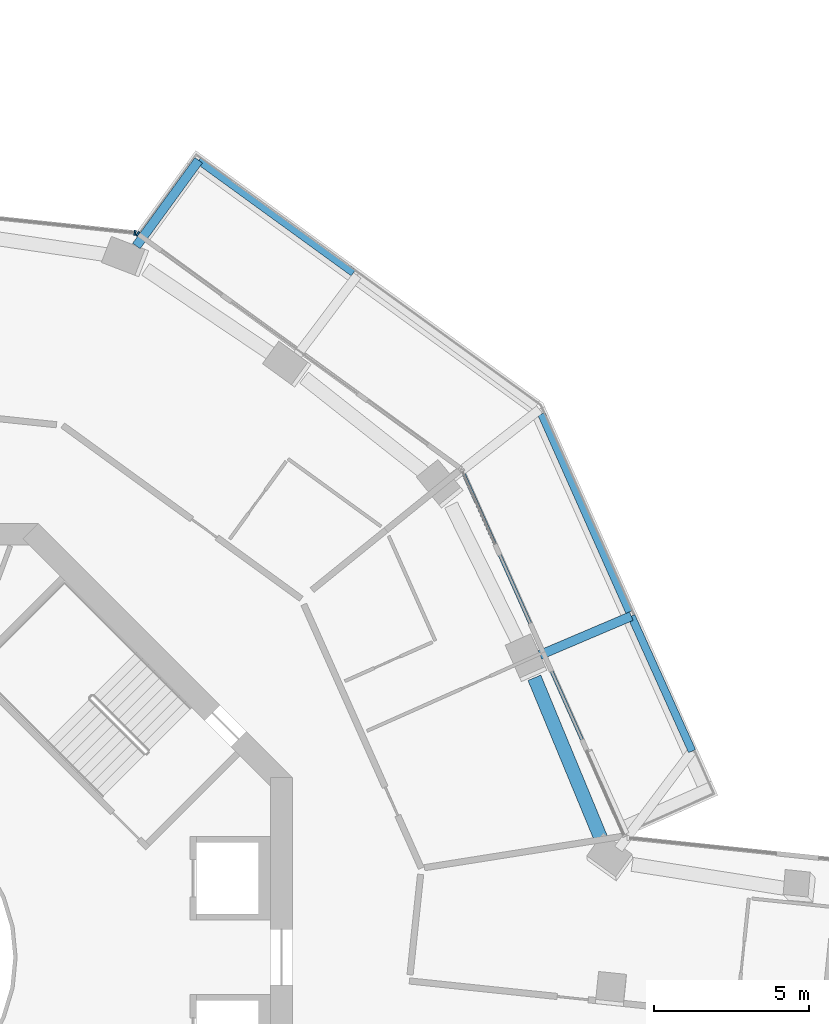
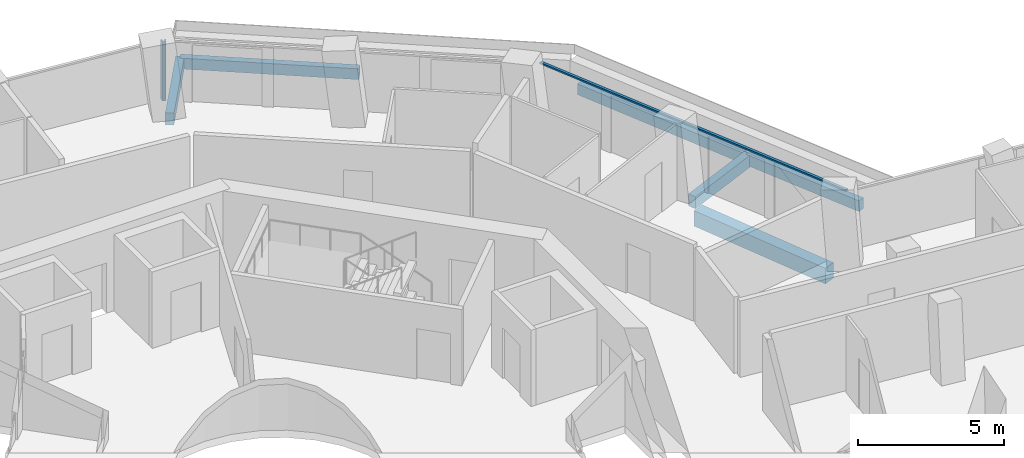
# One storey, part 9 of 23: 6 beams, 3 members, 3 elements without a shape of their own.
"""IFC4 building model written with IfcOpenShell, lengths in metres."""

from ifc_helpers import new_model, si_unit, direction, frame, origin, origin_2d, place, context, subcontext, project, spatial, rectangle, extrude, material, layer, layer_set, material_profile, profile_set, type_object, element, aggregate, save


model = new_model("IFC4")

# Units and contexts
model_context = context("Model", 3, precision=1e-05, world=origin(), true_north=direction((0.0, 1.0)))
body_context = subcontext(model_context, "Body", "Model", "MODEL_VIEW")
ifc_project = project(units=[si_unit("LENGTHUNIT", "METRE"), si_unit("AREAUNIT", "SQUARE_METRE"), si_unit("VOLUMEUNIT", "CUBIC_METRE"), si_unit("PLANEANGLEUNIT", "RADIAN"), si_unit("MASSUNIT", "GRAM", prefix="KILO")], contexts=[model_context])

# Site, building, storey
site_placement = place(None, origin())
site = spatial("IfcSite", under=ifc_project, at=site_placement, CompositionType="ELEMENT")
building_placement = place(site_placement, origin())
building = spatial("IfcBuilding", under=site, at=building_placement, Name="Verdalira Terraces Hotel", CompositionType="ELEMENT")
storey_placement = place(building_placement, frame((0.0, 0.0, 133.0)))
storey = spatial("IfcBuildingStorey", under=building, at=storey_placement, Name="L31", CompositionType="ELEMENT", Elevation=133.0)

# Beams
ifc_material_1 = material(Name="Concrete C40", Category="concrete")
ifc_material_profile_1 = material_profile(ifc_material_1, rectangle(XDim=0.300049, YDim=0.5, at=origin_2d()), Name="RC 300X500")
ifc_profile_set_1 = profile_set([ifc_material_profile_1], Name="Concrete C40")
beam_type_1 = type_object("IfcBeamType", Name="Balcony cantilever beam RC 300X500 C40", PredefinedType="BEAM", material=ifc_profile_set_1)
beam_1_placement = place(storey_placement, frame((21.991211, 9.756104, -0.560059), z_axis=(0.920226543, 0.39138614, 0.0), x_axis=(-0.39138614, 0.920226543, 0.0)))
element("IfcBeam", 1, at=beam_1_placement, inside=storey, type_object=beam_type_1, Name="Balcony cantilever beam R39-2", PredefinedType="BEAM", context=body_context, shape_type="SweptSolid", body=[
    extrude(rectangle(XDim=0.300049, YDim=0.5, at=origin_2d()), origin(), (0.0, 0.0, 1.0), 3.200684),
])
beam_2_placement = place(storey_placement, frame((8.96582, 22.951904, -0.560059), z_axis=(0.58782357, 0.808989154, 0.0), x_axis=(-0.808989154, 0.58782357, 0.0)))
element("IfcBeam", 2, at=beam_2_placement, inside=storey, type_object=beam_type_1, Name="Balcony cantilever beam R39-5", PredefinedType="BEAM", context=body_context, shape_type="SweptSolid", body=[
    extrude(rectangle(XDim=0.300049, YDim=0.5, at=origin_2d()), origin(), (0.0, 0.0, 1.0), 3.419922),
])
ifc_material_2 = material(Name="Concrete C40", Category="concrete")
ifc_material_profile_2 = material_profile(ifc_material_2, rectangle(XDim=0.25, YDim=0.449951, at=origin_2d()), Name="RC 250X450")
ifc_profile_set_2 = profile_set([ifc_material_profile_2], Name="Concrete C40")
beam_type_2 = type_object("IfcBeamType", Name="Balcony edge beam RC 250X450 C40", PredefinedType="BEAM", material=ifc_profile_set_2)
beam_3_placement = place(storey_placement, frame((26.896973, 6.65332, -0.534912), z_axis=(-0.410449689, 0.911883245, 0.0), x_axis=(-0.911883245, -0.410449689, 0.0)))
element("IfcBeam", 3, at=beam_3_placement, inside=storey, type_object=beam_type_2, Name="Balcony edge beam R39-1", PredefinedType="BEAM", context=body_context, shape_type="SweptSolid", body=[
    extrude(rectangle(XDim=0.25, YDim=0.449951, at=origin_2d()), origin(), (0.0, 0.0, 1.0), 4.776367),
])
beam_4_placement = place(storey_placement, frame((24.875732, 11.145752, -0.534912), z_axis=(-0.406002374, 0.913872022, 0.0), x_axis=(-0.913872022, -0.406002374, 0.0)))
element("IfcBeam", 4, at=beam_4_placement, inside=storey, type_object=beam_type_2, Name="Balcony edge beam R39-2", PredefinedType="BEAM", context=body_context, shape_type="SweptSolid", body=[
    extrude(rectangle(XDim=0.25, YDim=0.449951, at=origin_2d()), origin(), (0.0, 0.0, 1.0), 6.990967),
])
beam_5_placement = place(storey_placement, frame((15.969971, 22.090332, -0.534912), z_axis=(-0.809025033, 0.587774188, 0.0), x_axis=(-0.587774188, -0.809025033, 0.0)))
element("IfcBeam", 5, at=beam_5_placement, inside=storey, type_object=beam_type_2, Name="Balcony edge beam R39-4", PredefinedType="BEAM", context=body_context, shape_type="SweptSolid", body=[
    extrude(rectangle(XDim=0.25, YDim=0.449951, at=origin_2d()), origin(), (0.0, 0.0, 1.0), 6.172852),
])

# Curtain wall, member
ifc_material_3 = material(Name="Clear glass", Category="glass")
ifc_layer = layer(ifc_material_3, 0.14990234375)
ifc_layer_set = layer_set([ifc_layer], Name="CW1 curtain wall")
curtain_wall_type = type_object("IfcCurtainWallType", Name="CW1 curtain wall", PredefinedType="NOTDEFINED", material=ifc_layer_set)
curtain_wall_1_placement = place(storey_placement, origin())
curtain_wall_1 = element("IfcCurtainWall", 6, at=curtain_wall_1_placement, inside=storey, type_object=curtain_wall_type, Name="CW1 curtain wall L31 edge 40", PredefinedType="NOTDEFINED")
ifc_material_4 = material(Name="Terracotta frame", Category="masonry")
ifc_material_profile_3 = material_profile(ifc_material_4, rectangle(XDim=0.060059, YDim=0.149902, at=origin_2d()), Name="MU 60x150")
ifc_profile_set_3 = profile_set([ifc_material_profile_3], Name="Terracotta frame")
member_type_1 = type_object("IfcMemberType", Name="CW1 mullion 60x150", PredefinedType="MULLION", material=ifc_profile_set_3)
member_1_placement = place(storey_placement, frame((9.012695, 23.343994, 0.0), z_axis=(0.0, 0.0, 1.0), x_axis=(-0.809016994, 0.587785252, 0.0)))
member_1 = element("IfcMember", 7, at=member_1_placement, type_object=member_type_1, Name="CW1 mullion", PredefinedType="MULLION", context=body_context, shape_type="SweptSolid", body=[
    extrude(rectangle(XDim=0.060059, YDim=0.149902, at=origin_2d()), origin(), (0.0, 0.0, 1.0), 2.475098),
])
aggregate(curtain_wall_1, [member_1])

curtain_wall_2_placement = place(storey_placement, origin())
curtain_wall_2 = element("IfcCurtainWall", 8, at=curtain_wall_2_placement, inside=storey, type_object=curtain_wall_type, Name="CW1 curtain wall L31 edge 41", PredefinedType="NOTDEFINED")
member_2_placement = place(storey_placement, frame((8.922363, 23.378662, 0.0), z_axis=(0.0, 0.0, 1.0), x_axis=(-0.994521895, 0.104528463, 0.0)))
member_2 = element("IfcMember", 9, at=member_2_placement, type_object=member_type_1, Name="CW1 mullion", PredefinedType="MULLION", context=body_context, shape_type="SweptSolid", body=[
    extrude(rectangle(XDim=0.060059, YDim=0.149902, at=origin_2d()), origin(), (0.0, 0.0, 1.0), 2.475098),
])
aggregate(curtain_wall_2, [member_2])

curtain_wall_3_placement = place(storey_placement, origin())
curtain_wall_3 = element("IfcCurtainWall", 10, at=curtain_wall_3_placement, inside=storey, type_object=curtain_wall_type, Name="CW1 curtain wall L31 edge 39", PredefinedType="NOTDEFINED")
ifc_material_5 = material(Name="Terracotta frame", Category="masonry")
ifc_material_profile_4 = material_profile(ifc_material_5, rectangle(XDim=0.110107, YDim=0.064941, at=origin_2d()), Name="TR 65x110")
ifc_profile_set_4 = profile_set([ifc_material_profile_4], Name="Terracotta frame")
member_type_2 = type_object("IfcMemberType", Name="CW1 transom 65x110", PredefinedType="USERDEFINED", material=ifc_profile_set_4)
member_3_placement = place(storey_placement, frame((24.736328, 3.898193, 2.507568), z_axis=(-0.406737903, 0.913544897, 0.0), x_axis=(-0.913544897, -0.406737903, 0.0)))
member_3 = element("IfcMember", 11, at=member_3_placement, type_object=member_type_2, Name="CW1 transom", ObjectType="TRANSOM", PredefinedType="USERDEFINED", context=body_context, shape_type="SweptSolid", body=[
    extrude(rectangle(XDim=0.110107, YDim=0.064941, at=origin_2d()), origin(), (0.0, 0.0, 1.0), 12.959717),
])
aggregate(curtain_wall_3, [member_3])

# Beam
ifc_material_6 = material(Name="Concrete C50", Category="concrete")
ifc_material_profile_5 = material_profile(ifc_material_6, rectangle(XDim=0.449951, YDim=0.649902, at=origin_2d()), Name="RC 450X650")
ifc_profile_set_5 = profile_set([ifc_material_profile_5], Name="Concrete C50")
beam_type_3 = type_object("IfcBeamType", Name="Spandrel beam RC 450X650 C50", PredefinedType="SPANDREL", material=ifc_profile_set_5)
beam_6_placement = place(storey_placement, frame((23.977783, 3.779785, -0.63501), z_axis=(-0.382377137, 0.924006345, 0.0), x_axis=(-0.924006345, -0.382377137, 0.0)))
element("IfcBeam", 12, at=beam_6_placement, inside=storey, type_object=beam_type_3, Name="Spandrel beam B18", PredefinedType="SPANDREL", context=body_context, shape_type="SweptSolid", body=[
    extrude(rectangle(XDim=0.449951, YDim=0.649902, at=origin_2d()), origin(), (0.0, 0.0, 1.0), 5.672363),
])

save(model, "model.ifc")
